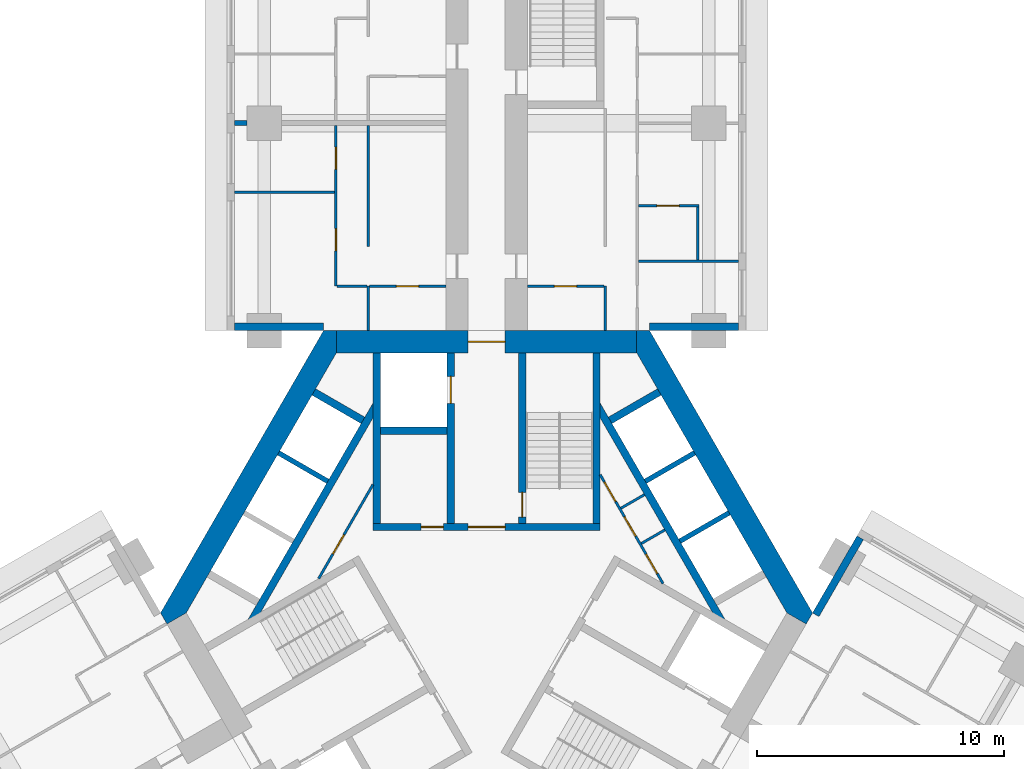
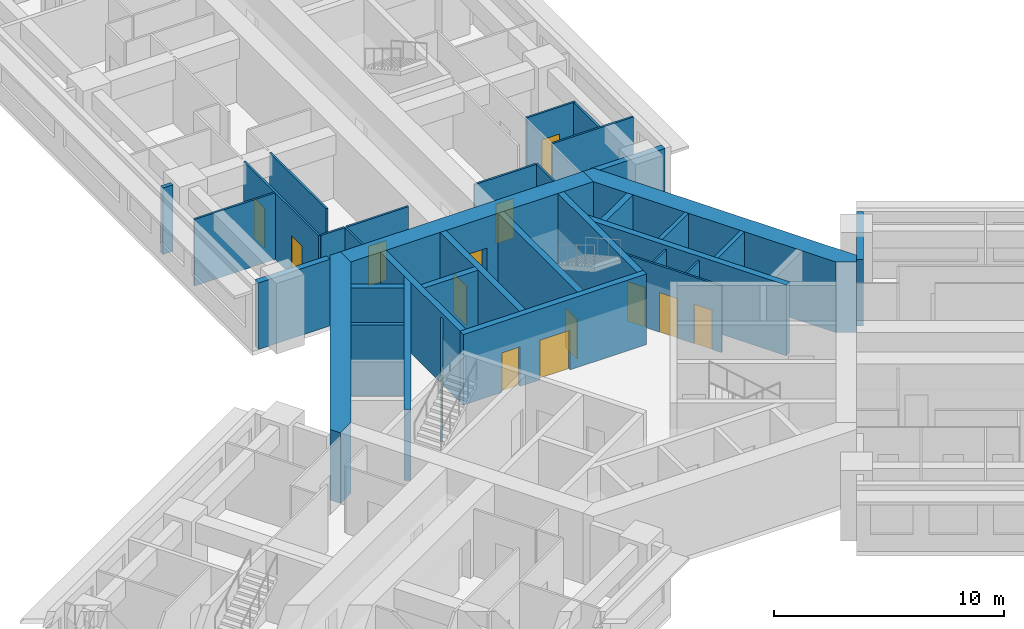
# One storey, part 8 of 16: 35 walls, 14 doors, 14 openings.
"""IFC4 building model written with IfcOpenShell, lengths in metres."""

import ifcopenshell
import ifcopenshell.guid

model = None  # the IFC model being written
_history = None  # IfcOwnerHistory: only IFC2X3 demands one
_inside = {}  # id of a spatial element -> (the spatial element, [elements in it])
_under = {}  # id of a project, library or spatial element -> (it, [spatial elements below it])
_declared = {}  # id of a project -> (the project, [libraries it declares])
_typed = {}  # id of a type object -> (the type object, [elements of that type])
_made_of = {}  # id of a material, layer set ... -> (it, [elements and type objects made of it])


def new_model(schema):
    """Start an empty IFC model of exactly this schema.

    Asked for "IFC4X3", IfcOpenShell would pick the latest addendum, in which some entities
    have other attributes; the version numbers below select the first issue.
    IFC2X3 requires an IfcOwnerHistory on every rooted entity: one is made here for all.
    """
    global model, _history
    if schema == "IFC4X3":
        model = ifcopenshell.file(schema_version=(4, 3, 0, 0))
    else:
        model = ifcopenshell.file(schema=schema)
    _inside.clear()
    _under.clear()
    _declared.clear()
    _typed.clear()
    _made_of.clear()
    _history = None
    if model.schema == "IFC2X3":
        org = make("IfcOrganization", Name="unknown")
        user = make(
            "IfcPersonAndOrganization",
            ThePerson=make("IfcPerson", FamilyName="unknown"),
            TheOrganization=org,
        )
        app = make(
            "IfcApplication",
            ApplicationDeveloper=org,
            Version="unknown",
            ApplicationFullName="unknown",
            ApplicationIdentifier="unknown",
        )
        _history = make(
            "IfcOwnerHistory",
            OwningUser=user,
            OwningApplication=app,
            ChangeAction="ADDED",
            CreationDate=0,
        )
    return model


def make(cls, **values):
    """One entity of the class cls with the attributes given. An attribute that is None is left unset."""
    return model.create_entity(
        cls, **{name: value for name, value in values.items() if value is not None}
    )


def rooted(cls, **values):
    """An entity with a GlobalId (a new one), such as an element, a storey or a relation."""
    return make(cls, GlobalId=ifcopenshell.guid.new(), OwnerHistory=_history, **values)


def si_unit(unit_type, name, prefix=None):
    """IfcSIUnit, for example si_unit("LENGTHUNIT", "METRE", prefix="MILLI")."""
    return make("IfcSIUnit", UnitType=unit_type, Prefix=prefix, Name=name)


def assignment(units):
    """IfcUnitAssignment: the units of a project."""
    return None if units is None else make("IfcUnitAssignment", Units=units)


def point(xyz):
    """IfcCartesianPoint."""
    return None if xyz is None else make("IfcCartesianPoint", Coordinates=xyz)


def direction(xyz):
    """IfcDirection."""
    return None if xyz is None else make("IfcDirection", DirectionRatios=xyz)


def frame(location, z_axis=None, x_axis=None):
    """IfcAxis2Placement3D, a coordinate frame: its origin and axes. An axis left out is left unset."""
    return make(
        "IfcAxis2Placement3D",
        Location=point(location),
        Axis=direction(z_axis),
        RefDirection=direction(x_axis),
    )


def frame_2d(location, x_axis=None):
    """IfcAxis2Placement2D, a coordinate frame in the plane: its origin and x axis."""
    return make(
        "IfcAxis2Placement2D", Location=point(location), RefDirection=direction(x_axis)
    )


def origin():
    """The frame at (0, 0, 0) with its axes left unset."""
    return frame((0.0, 0.0, 0.0))


def place(relative_to, where):
    """IfcLocalPlacement: puts the frame where relative to a parent placement (None: the world)."""
    return make(
        "IfcLocalPlacement", PlacementRelTo=relative_to, RelativePlacement=where
    )


def context(
    kind, dimensions, precision=None, world=None, true_north=None, identifier=None
):
    """IfcGeometricRepresentationContext, for example the 3D "Model" context."""
    return make(
        "IfcGeometricRepresentationContext",
        ContextIdentifier=identifier,
        ContextType=kind,
        CoordinateSpaceDimension=dimensions,
        Precision=precision,
        WorldCoordinateSystem=world,
        TrueNorth=true_north,
    )


def subcontext(parent, identifier, kind, view, scale=None):
    """IfcGeometricRepresentationSubContext, for example "Body" below "Model"."""
    return make(
        "IfcGeometricRepresentationSubContext",
        ContextIdentifier=identifier,
        ContextType=kind,
        ParentContext=parent,
        TargetScale=scale,
        TargetView=view,
    )


def project(units=None, contexts=None):
    """IfcProject with its units and contexts."""
    return rooted(
        "IfcProject",
        Name="project",
        RepresentationContexts=contexts,
        UnitsInContext=assignment(units),
    )


def spatial(cls, under=None, at=None, **own):
    """A site, building, storey or space (cls), placed at a placement, below another one or the project."""
    s = rooted(cls, ObjectPlacement=at, **own)
    if under is not None:
        _under.setdefault(under.id(), (under, []))[1].append(s)
    return s


def polyline(points):
    """IfcPolyline through the points."""
    return make("IfcPolyline", Points=[point(p) for p in points])


def profile(cls, at=None, kind="AREA", **sizes):
    """A parametric profile (cls). Its sizes go by their IFC names, for example OverallWidth=200.0."""
    return make(cls, ProfileType=kind, Position=at, **sizes)


def rectangle(**sizes):
    """IfcRectangleProfileDef."""
    return profile("IfcRectangleProfileDef", **sizes)


def outline(outer, holes=None, kind="AREA"):
    """IfcArbitraryClosedProfileDef: a profile drawn as a closed curve; with holes, ...WithVoids."""
    if holes is None:
        return make("IfcArbitraryClosedProfileDef", ProfileType=kind, OuterCurve=outer)
    return make(
        "IfcArbitraryProfileDefWithVoids",
        ProfileType=kind,
        OuterCurve=outer,
        InnerCurves=holes,
    )


def extrude(swept, where, along, depth):
    """IfcExtrudedAreaSolid: the profile swept, set in the frame where, extruded along a direction by depth."""
    return make(
        "IfcExtrudedAreaSolid",
        SweptArea=swept,
        Position=where,
        ExtrudedDirection=direction(along),
        Depth=depth,
    )


def shape(context_of_items, identifier, shape_type, items):
    """IfcShapeRepresentation: the items that make up one representation, for example the "Body"."""
    return make(
        "IfcShapeRepresentation",
        ContextOfItems=context_of_items,
        RepresentationIdentifier=identifier,
        RepresentationType=shape_type,
        Items=items,
    )


def material(Name=None, Category=None):
    """IfcMaterial."""
    return make("IfcMaterial", Name=Name, Category=Category)


def layer(
    of_material, thickness, ventilated=None, Name=None, Category=None, Priority=None
):
    """IfcMaterialLayer: one layer of a wall or slab, of a material (None: an air gap)."""
    return make(
        "IfcMaterialLayer",
        Material=of_material,
        LayerThickness=thickness,
        IsVentilated=ventilated,
        Name=Name,
        Category=Category,
        Priority=Priority,
    )


def layer_set(layers, Name=None):
    """IfcMaterialLayerSet."""
    return make("IfcMaterialLayerSet", MaterialLayers=layers, LayerSetName=Name)


def made_of(thing, what):
    """Note that an element or type object is made of a material, layer set ...; save() writes the relation."""
    if what is not None:
        _made_of.setdefault(what.id(), (what, []))[1].append(thing)
    return thing


def type_object(cls, material=None, **own):
    """A type object (cls), such as IfcWallType, which elements share."""
    return made_of(rooted(cls, **own), material)


def element(
    cls,
    number,
    at=None,
    inside=None,
    cuts=None,
    type_object=None,
    material=None,
    context=None,
    identifier="Body",
    shape_type=None,
    held_by="IfcProductDefinitionShape",
    body=None,
    shapes=None,
    **own,
):
    """One element of the class cls, such as IfcWall. Its Tag is "e" and its number.

    at: its placement. inside: the storey or other place that contains it. cuts: it is an
    opening in that element (IfcRelVoidsElement). A single representation is given by context,
    identifier, shape_type and body (its items); several are given by shapes. held_by: the class
    of the entity that holds the representations. save() writes the other relations.
    """
    e = rooted(cls, Tag="e%d" % number, ObjectPlacement=at, **own)
    if body is not None:
        shapes = [shape(context, identifier, shape_type, body)]
    if shapes is not None:
        e.Representation = make(held_by, Representations=shapes)
    if inside is not None:
        _inside.setdefault(inside.id(), (inside, []))[1].append(e)
    if cuts is not None:
        rooted(
            "IfcRelVoidsElement", RelatingBuildingElement=cuts, RelatedOpeningElement=e
        )
    if type_object is not None:
        _typed.setdefault(type_object.id(), (type_object, []))[1].append(e)
    return made_of(e, material)


def fill(opening, filler):
    """IfcRelFillsElement: the door or window that sits in an opening."""
    return rooted(
        "IfcRelFillsElement",
        RelatingOpeningElement=opening,
        RelatedBuildingElement=filler,
    )


def aggregate(whole, parts):
    """IfcRelAggregates: a whole, such as a stair, and the parts it consists of."""
    return rooted("IfcRelAggregates", RelatingObject=whole, RelatedObjects=parts)


def save(model, path):
    """Write the relations noted so far, then the file.

    IfcRelAggregates (storeys below a building ...), IfcRelContainedInSpatialStructure (elements
    in a storey), IfcRelDefinesByType, IfcRelAssociatesMaterial and IfcRelDeclares: one each for
    every whole, place, type object, material and project.
    """
    for whole, parts in _under.values():
        aggregate(whole, parts)
    for where, things in _inside.values():
        rooted(
            "IfcRelContainedInSpatialStructure",
            RelatedElements=things,
            RelatingStructure=where,
        )
    for kind, things in _typed.values():
        rooted("IfcRelDefinesByType", RelatedObjects=things, RelatingType=kind)
    for what, things in _made_of.values():
        rooted("IfcRelAssociatesMaterial", RelatedObjects=things, RelatingMaterial=what)
    for by, libraries in _declared.values():
        rooted("IfcRelDeclares", RelatingContext=by, RelatedDefinitions=libraries)
    model.write(path)


model = new_model("IFC4")

# Units and contexts
model_context = context("Model", 3, precision=1e-05, world=origin(), true_north=direction((0.0, 1.0)))
body_context = subcontext(model_context, "Body", "Model", "MODEL_VIEW")
ifc_project = project(units=[si_unit("LENGTHUNIT", "METRE"), si_unit("AREAUNIT", "SQUARE_METRE"), si_unit("VOLUMEUNIT", "CUBIC_METRE"), si_unit("PLANEANGLEUNIT", "RADIAN"), si_unit("MASSUNIT", "GRAM", prefix="KILO")], contexts=[model_context])

# Site, building, storey
site_placement = place(None, origin())
site = spatial("IfcSite", under=ifc_project, at=site_placement, CompositionType="ELEMENT")
building_placement = place(site_placement, origin())
building = spatial("IfcBuilding", under=site, at=building_placement, Name="Impinga Residences", CompositionType="ELEMENT")
storey_placement = place(building_placement, frame((0.0, 0.0, 52.25)))
storey = spatial("IfcBuildingStorey", under=building, at=storey_placement, Name="L12", CompositionType="ELEMENT", Elevation=52.25)

# Wall, openings, doors
ifc_material_1 = material(Name="Concrete blockwork", Category="masonry")
ifc_layer_1 = layer(ifc_material_1, 0.10009765625)
ifc_layer_set_1 = layer_set([ifc_layer_1], Name="CP1 core room partition, blockwork 100")
wall_type_1 = type_object("IfcWallType", Name="CP1 core room partition, blockwork 100", PredefinedType="PARTITIONING", material=ifc_layer_set_1)
wall_1_placement = place(storey_placement, frame((4.60009765625, 5.595703125, 0.0), z_axis=(0.0, 0.0, 1.0), x_axis=(0.499975622669, -0.866039477586, 0.0)))
wall_1 = element("IfcWall", 1, at=wall_1_placement, inside=storey, type_object=wall_type_1, Name="Core room partition, blockwork L12:CORE:mid:FP", PredefinedType="PARTITIONING", context=body_context, shape_type="SweptSolid", body=[
    extrude(rectangle(XDim=5.092041015625, YDim=0.10009765625, at=frame_2d((2.5458984375, 0.0))), origin(), (0.0, 0.0, 1.0), 3.530029296875),
])
opening_1_placement = place(wall_1_placement, frame((0.347900390625, 0.0, 0.0)))
opening_1 = element("IfcOpeningElement", 2, at=opening_1_placement, cuts=wall_1, Name="Opening D6", PredefinedType="OPENING", context=body_context, shape_type="SweptSolid", body=[
    extrude(rectangle(XDim=0.89990234375, YDim=2.10009765625, at=frame_2d((0.449951171875, 1.050048828125))), frame((0.0, 0.06005859375, 0.0), z_axis=(0.0, -1.0, 0.0), x_axis=(1.0, 0.0, 0.0)), (0.0, 0.0, 1.0), 0.1201171875),
])
opening_2_placement = place(wall_1_placement, frame((1.970947265625, 0.0, 0.0)))
opening_2 = element("IfcOpeningElement", 3, at=opening_2_placement, cuts=wall_1, Name="Opening D6", PredefinedType="OPENING", context=body_context, shape_type="SweptSolid", body=[
    extrude(rectangle(XDim=0.89990234375, YDim=2.10009765625, at=frame_2d((0.449951171875, 1.050048828125))), frame((0.0, 0.06005859375, 0.0), z_axis=(0.0, -1.0, 0.0), x_axis=(1.0, 0.0, 0.0)), (0.0, 0.0, 1.0), 0.1201171875),
])
opening_3_placement = place(wall_1_placement, frame((3.718994140625, 0.0, 0.0)))
opening_3 = element("IfcOpeningElement", 4, at=opening_3_placement, cuts=wall_1, Name="Opening D6", PredefinedType="OPENING", context=body_context, shape_type="SweptSolid", body=[
    extrude(rectangle(XDim=0.89990234375, YDim=2.10009765625, at=frame_2d((0.449951171875, 1.050048828125))), frame((0.0, 0.06005859375, 0.0), z_axis=(0.0, -1.0, 0.0), x_axis=(1.0, 0.0, 0.0)), (0.0, 0.0, 1.0), 0.1201171875),
])
ifc_material_2 = material(Name="Timber door set", Category="wood")
door_type_1 = type_object("IfcDoorType", Name="D6 riser and store door 900x2100", OperationType="SINGLE_SWING_LEFT", PredefinedType="DOOR", material=ifc_material_2)
door_1_placement = place(opening_1_placement, origin())
door_1 = element("IfcDoor", 5, at=door_1_placement, inside=storey, type_object=door_type_1, Name="Comms cupboard door", OperationType="SINGLE_SWING_LEFT", OverallHeight=2.10009765625, OverallWidth=0.89990234375, PredefinedType="DOOR", context=body_context, shape_type="SweptSolid", body=[
    extrude(rectangle(XDim=0.89990234375, YDim=2.10009765625, at=frame_2d((0.449951171875, 1.050048828125))), frame((0.0, 0.02490234375, 0.0), z_axis=(0.0, -1.0, 0.0), x_axis=(1.0, 0.0, 0.0)), (0.0, 0.0, 1.0), 0.050048828125),
])
fill(opening_1, door_1)
door_2_placement = place(opening_2_placement, origin())
door_2 = element("IfcDoor", 6, at=door_2_placement, inside=storey, type_object=door_type_1, Name="Refuse room door", OperationType="SINGLE_SWING_LEFT", OverallHeight=2.10009765625, OverallWidth=0.89990234375, PredefinedType="DOOR", context=body_context, shape_type="SweptSolid", body=[
    extrude(rectangle(XDim=0.89990234375, YDim=2.10009765625, at=frame_2d((0.449951171875, 1.050048828125))), frame((0.0, 0.02490234375, 0.0), z_axis=(0.0, -1.0, 0.0), x_axis=(1.0, 0.0, 0.0)), (0.0, 0.0, 1.0), 0.050048828125),
])
fill(opening_2, door_2)
door_3_placement = place(opening_3_placement, origin())
door_3 = element("IfcDoor", 7, at=door_3_placement, inside=storey, type_object=door_type_1, Name="Cleaners' store door", OperationType="SINGLE_SWING_RIGHT", OverallHeight=2.10009765625, OverallWidth=0.89990234375, PredefinedType="DOOR", context=body_context, shape_type="SweptSolid", body=[
    extrude(rectangle(XDim=0.89990234375, YDim=2.10009765625, at=frame_2d((0.449951171875, 1.050048828125))), frame((0.0, 0.02490234375, 0.0), z_axis=(0.0, -1.0, 0.0), x_axis=(1.0, 0.0, 0.0)), (0.0, 0.0, 1.0), 0.050048828125),
])
fill(opening_3, door_3)

# Walls
for number, where, z_axis, x_axis, name in (
    (8, (5.441162109375, 4.238525390625, 0.0), (0.0, 0.0, 1.0), (0.866008176907, 0.50002983664, 0.0), "Core room partition, blockwork L12:CORE:mid:FS1"),
    (9, (6.266357421875, 2.8095703125, 0.0), (0.0, 0.0, 1.0), (0.866008176907, 0.50002983664, 0.0), "Core room partition, blockwork L12:CORE:mid:FS2"),
):
    element("IfcWall", number, at=place(storey_placement, frame(where, z_axis=z_axis, x_axis=x_axis)), inside=storey, type_object=wall_type_1, Name=name, PredefinedType="PARTITIONING", context=body_context, shape_type="SweptSolid", body=[
        extrude(rectangle(XDim=1.10009765625, YDim=0.10009765625, at=frame_2d((0.550048828125, 0.0))), origin(), (0.0, 0.0, 1.0), 3.530029296875),
    ])

# Wall, opening, door
wall_2_placement = place(storey_placement, frame((-6.799560546875, 1.385986328125, 0.0), z_axis=(0.0, 0.0, 1.0), x_axis=(0.500001098885, 0.866024769342, 0.0)))
wall_2 = element("IfcWall", 10, at=wall_2_placement, inside=storey, type_object=wall_type_1, Name="Core room partition, blockwork L12:CORE:high:FP", PredefinedType="PARTITIONING", context=body_context, shape_type="SweptSolid", body=[
    extrude(rectangle(XDim=4.39892578125, YDim=0.10009765625, at=frame_2d((2.199462890625, 0.0))), origin(), (0.0, 0.0, 1.0), 3.530029296875),
])
opening_4_placement = place(wall_2_placement, frame((1.149658203125, 0.0, 0.0)))
opening_4 = element("IfcOpeningElement", 11, at=opening_4_placement, cuts=wall_2, Name="Opening D6", PredefinedType="OPENING", context=body_context, shape_type="SweptSolid", body=[
    extrude(rectangle(XDim=0.89990234375, YDim=2.10009765625, at=frame_2d((0.449951171875, 1.050048828125))), frame((0.0, 0.06005859375, 0.0), z_axis=(0.0, -1.0, 0.0), x_axis=(1.0, 0.0, 0.0)), (0.0, 0.0, 1.0), 0.1201171875),
])
door_4_placement = place(opening_4_placement, origin())
door_4 = element("IfcDoor", 12, at=door_4_placement, inside=storey, type_object=door_type_1, Name="Vending and ice room door", OperationType="SINGLE_SWING_LEFT", OverallHeight=2.10009765625, OverallWidth=0.89990234375, PredefinedType="DOOR", context=body_context, shape_type="SweptSolid", body=[
    extrude(rectangle(XDim=0.89990234375, YDim=2.10009765625, at=frame_2d((0.449951171875, 1.050048828125))), frame((0.0, 0.02490234375, 0.0), z_axis=(0.0, -1.0, 0.0), x_axis=(1.0, 0.0, 0.0)), (0.0, 0.0, 1.0), 0.050048828125),
])
fill(opening_4, door_4)

# Walls
ifc_material_3 = material(Name="Terracotta rainscreen on blockwork", Category="masonry")
ifc_layer_2 = layer(ifc_material_3, 0.300048828125)
ifc_layer_set_2 = layer_set([ifc_layer_2], Name="EW1 external wall, terracotta rainscreen on blockwork 300")
wall_type_2 = type_object("IfcWallType", Name="EW1 external wall, terracotta rainscreen on blockwork 300", PredefinedType="SOLIDWALL", material=ifc_layer_set_2)
for number, where, z_axis, x_axis, name in (
    (13, (-6.60009765625, 11.58154296875, 0.0), (0.0, 0.0, 1.0), (-1.0, 0.0, 0.0), "External wall EW1 L12"),
    (14, (10.199951171875, 11.58154296875, 0.0), (0.0, 0.0, 1.0), (-1.0, 0.0, 0.0), "External wall EW1 L12"),
):
    element("IfcWall", number, at=place(storey_placement, frame(where, z_axis=z_axis, x_axis=x_axis)), inside=storey, type_object=wall_type_2, Name=name, PredefinedType="SOLIDWALL", context=body_context, shape_type="SweptSolid", body=[
        extrude(rectangle(XDim=3.599853515625, YDim=0.300048828125, at=frame_2d((1.7998046875, 0.0))), origin(), (0.0, 0.0, 1.0), 3.530029296875),
    ])
wall_3_placement = place(storey_placement, frame((13.329833984375, -0.074951171875, 0.0), z_axis=(0.0, 0.0, 1.0), x_axis=(0.500012057535, 0.866018442252, 0.0)))
element("IfcWall", 15, at=wall_3_placement, inside=storey, type_object=wall_type_2, Name="External wall EW1 L12", PredefinedType="SOLIDWALL", context=body_context, shape_type="SweptSolid", body=[
    extrude(rectangle(XDim=3.60009765625, YDim=0.300048828125, at=frame_2d((1.800048828125, 0.0))), origin(), (0.0, 0.0, 1.0), 3.530029296875),
])
ifc_material_4 = material(Name="Gypsum board on steel studs", Category="steel")
ifc_layer_3 = layer(ifc_material_4, 0.10009765625)
ifc_layer_set_3 = layer_set([ifc_layer_3], Name="Gypsum board on steel studs")
wall_type_3 = type_object("IfcWallType", Name="IP1 partition 100", PredefinedType="PARTITIONING", material=ifc_layer_set_3)
wall_4_placement = place(storey_placement, frame((-4.800048828125, 11.431640625, 0.0), z_axis=(0.0, 0.0, 1.0), x_axis=(0.0, 1.0, 0.0)))
element("IfcWall", 16, at=wall_4_placement, inside=storey, type_object=wall_type_3, Name="Partition L12-NA1:DIV0", PredefinedType="PARTITIONING", context=body_context, shape_type="SweptSolid", body=[
    extrude(rectangle(XDim=1.7998046875, YDim=0.10009765625, at=frame_2d((0.89990234375, 0.0))), origin(), (0.0, 0.0, 1.0), 3.530029296875),
])
wall_5_placement = place(storey_placement, frame((-4.800048828125, 14.83154296875, 0.0), z_axis=(0.0, 0.0, 1.0), x_axis=(0.0, 1.0, 0.0)))
element("IfcWall", 17, at=wall_5_placement, inside=storey, type_object=wall_type_3, Name="Partition L12-NA1:DIV1", PredefinedType="PARTITIONING", context=body_context, shape_type="SweptSolid", body=[
    extrude(rectangle(XDim=4.89990234375, YDim=0.10009765625, at=frame_2d((2.449951171875, 0.0))), origin(), (0.0, 0.0, 1.0), 3.530029296875),
])

# Wall, openings, doors
wall_6_placement = place(storey_placement, frame((-6.10009765625, 13.2314453125, 0.0), z_axis=(0.0, 0.0, 1.0), x_axis=(0.0, 1.0, 0.0)))
wall_6 = element("IfcWall", 18, at=wall_6_placement, inside=storey, type_object=wall_type_3, Name="Partition L12-NA1:STRIP", PredefinedType="PARTITIONING", context=body_context, shape_type="SweptSolid", body=[
    extrude(rectangle(XDim=6.5, YDim=0.10009765625, at=frame_2d((3.25, 0.0))), origin(), (0.0, 0.0, 1.0), 3.530029296875),
])
opening_5_placement = place(wall_6_placement, frame((1.425048828125, 0.0, 0.0)))
opening_5 = element("IfcOpeningElement", 19, at=opening_5_placement, cuts=wall_6, Name="Opening D2", PredefinedType="OPENING", context=body_context, shape_type="SweptSolid", body=[
    extrude(rectangle(XDim=0.89990234375, YDim=2.10009765625, at=frame_2d((0.449951171875, 1.050048828125))), frame((0.0, 0.06005859375, 0.0), z_axis=(0.0, -1.0, 0.0), x_axis=(1.0, 0.0, 0.0)), (0.0, 0.0, 1.0), 0.1201171875),
])
opening_6_placement = place(wall_6_placement, frame((4.72509765625, 0.0, 0.0)))
opening_6 = element("IfcOpeningElement", 20, at=opening_6_placement, cuts=wall_6, Name="Opening D2", PredefinedType="OPENING", context=body_context, shape_type="SweptSolid", body=[
    extrude(rectangle(XDim=0.89990234375, YDim=2.10009765625, at=frame_2d((0.449951171875, 1.050048828125))), frame((0.0, 0.06005859375, 0.0), z_axis=(0.0, -1.0, 0.0), x_axis=(1.0, 0.0, 0.0)), (0.0, 0.0, 1.0), 0.1201171875),
])
door_type_2 = type_object("IfcDoorType", Name="D2 internal door 900x2100", OperationType="SINGLE_SWING_LEFT", PredefinedType="DOOR", material=ifc_material_2)
door_5_placement = place(opening_5_placement, origin())
door_5 = element("IfcDoor", 21, at=door_5_placement, inside=storey, type_object=door_type_2, Name="Apartment L12-NA1 room door", OperationType="SINGLE_SWING_LEFT", OverallHeight=2.10009765625, OverallWidth=0.89990234375, PredefinedType="DOOR", context=body_context, shape_type="SweptSolid", body=[
    extrude(rectangle(XDim=0.89990234375, YDim=2.10009765625, at=frame_2d((0.449951171875, 1.050048828125))), frame((0.0, 0.02490234375, 0.0), z_axis=(0.0, -1.0, 0.0), x_axis=(1.0, 0.0, 0.0)), (0.0, 0.0, 1.0), 0.050048828125),
])
fill(opening_5, door_5)
door_6_placement = place(opening_6_placement, origin())
door_6 = element("IfcDoor", 22, at=door_6_placement, inside=storey, type_object=door_type_2, Name="Apartment L12-NA1 room door", OperationType="SINGLE_SWING_RIGHT", OverallHeight=2.10009765625, OverallWidth=0.89990234375, PredefinedType="DOOR", context=body_context, shape_type="SweptSolid", body=[
    extrude(rectangle(XDim=0.89990234375, YDim=2.10009765625, at=frame_2d((0.449951171875, 1.050048828125))), frame((0.0, 0.02490234375, 0.0), z_axis=(0.0, -1.0, 0.0), x_axis=(1.0, 0.0, 0.0)), (0.0, 0.0, 1.0), 0.050048828125),
])
fill(opening_6, door_6)

# Wall
wall_7_placement = place(storey_placement, frame((-4.85009765625, 13.2314453125, 0.0), z_axis=(0.0, 0.0, 1.0), x_axis=(-1.0, 0.0, 0.0)))
element("IfcWall", 23, at=wall_7_placement, inside=storey, type_object=wall_type_3, Name="Partition L12-NA1:SE0", PredefinedType="PARTITIONING", context=body_context, shape_type="SweptSolid", body=[
    extrude(rectangle(XDim=1.199951171875, YDim=0.10009765625, at=frame_2d((0.60009765625, 0.0))), origin(), (0.0, 0.0, 1.0), 3.530029296875),
])

# Wall, opening, door
wall_8_placement = place(storey_placement, frame((-1.64990234375, 13.2314453125, 0.0), z_axis=(0.0, 0.0, 1.0), x_axis=(-1.0, 0.0, 0.0)))
wall_8 = element("IfcWall", 24, at=wall_8_placement, inside=storey, type_object=wall_type_3, Name="Partition L12-NA1:IB1", PredefinedType="PARTITIONING", context=body_context, shape_type="SweptSolid", body=[
    extrude(rectangle(XDim=3.10009765625, YDim=0.10009765625, at=frame_2d((1.550048828125, 0.0))), origin(), (0.0, 0.0, 1.0), 3.530029296875),
])
opening_7_placement = place(wall_8_placement, frame((1.10009765625, 0.0, 0.0)))
opening_7 = element("IfcOpeningElement", 25, at=opening_7_placement, cuts=wall_8, Name="Opening D2", PredefinedType="OPENING", context=body_context, shape_type="SweptSolid", body=[
    extrude(rectangle(XDim=0.89990234375, YDim=2.10009765625, at=frame_2d((0.449951171875, 1.050048828125))), frame((0.0, 0.06005859375, 0.0), z_axis=(0.0, -1.0, 0.0), x_axis=(1.0, 0.0, 0.0)), (0.0, 0.0, 1.0), 0.1201171875),
])
door_7_placement = place(opening_7_placement, origin())
door_7 = element("IfcDoor", 26, at=door_7_placement, inside=storey, type_object=door_type_2, Name="Apartment L12-NA1 bathroom door", OperationType="SINGLE_SWING_LEFT", OverallHeight=2.10009765625, OverallWidth=0.89990234375, PredefinedType="DOOR", context=body_context, shape_type="SweptSolid", body=[
    extrude(rectangle(XDim=0.89990234375, YDim=2.10009765625, at=frame_2d((0.449951171875, 1.050048828125))), frame((0.0, 0.02490234375, 0.0), z_axis=(0.0, -1.0, 0.0), x_axis=(1.0, 0.0, 0.0)), (0.0, 0.0, 1.0), 0.050048828125),
])
fill(opening_7, door_7)

# Walls
wall_9_placement = place(storey_placement, frame((-6.14990234375, 17.031494140625, 0.0), z_axis=(0.0, 0.0, 1.0), x_axis=(-1.0, 0.0, 0.0)))
element("IfcWall", 27, at=wall_9_placement, inside=storey, type_object=wall_type_3, Name="Partition L12-NA1:OB1", PredefinedType="PARTITIONING", context=body_context, shape_type="SweptSolid", body=[
    extrude(rectangle(XDim=4.050048828125, YDim=0.10009765625, at=frame_2d((2.02490234375, 0.0))), origin(), (0.0, 0.0, 1.0), 3.530029296875),
])
wall_10_placement = place(storey_placement, frame((4.800048828125, 11.431640625, 0.0), z_axis=(0.0, 0.0, 1.0), x_axis=(0.0, 1.0, 0.0)))
element("IfcWall", 28, at=wall_10_placement, inside=storey, type_object=wall_type_3, Name="Partition L12-NF1:DIV0", PredefinedType="PARTITIONING", context=body_context, shape_type="SweptSolid", body=[
    extrude(rectangle(XDim=1.7998046875, YDim=0.10009765625, at=frame_2d((0.89990234375, 0.0))), origin(), (0.0, 0.0, 1.0), 3.530029296875),
])

# Wall, opening, door
wall_11_placement = place(storey_placement, frame((1.64990234375, 13.2314453125, 0.0), z_axis=(0.0, 0.0, 1.0), x_axis=(1.0, 0.0, 0.0)))
wall_11 = element("IfcWall", 29, at=wall_11_placement, inside=storey, type_object=wall_type_3, Name="Partition L12-NF1:IB1", PredefinedType="PARTITIONING", context=body_context, shape_type="SweptSolid", body=[
    extrude(rectangle(XDim=3.10009765625, YDim=0.10009765625, at=frame_2d((1.550048828125, 0.0))), origin(), (0.0, 0.0, 1.0), 3.530029296875),
])
opening_8_placement = place(wall_11_placement, frame((1.10009765625, 0.0, 0.0)))
opening_8 = element("IfcOpeningElement", 30, at=opening_8_placement, cuts=wall_11, Name="Opening D2", PredefinedType="OPENING", context=body_context, shape_type="SweptSolid", body=[
    extrude(rectangle(XDim=0.89990234375, YDim=2.10009765625, at=frame_2d((0.449951171875, 1.050048828125))), frame((0.0, 0.06005859375, 0.0), z_axis=(0.0, -1.0, 0.0), x_axis=(1.0, 0.0, 0.0)), (0.0, 0.0, 1.0), 0.1201171875),
])
door_8_placement = place(opening_8_placement, origin())
door_8 = element("IfcDoor", 31, at=door_8_placement, inside=storey, type_object=door_type_2, Name="Apartment L12-NF1 bathroom door", OperationType="SINGLE_SWING_LEFT", OverallHeight=2.10009765625, OverallWidth=0.89990234375, PredefinedType="DOOR", context=body_context, shape_type="SweptSolid", body=[
    extrude(rectangle(XDim=0.89990234375, YDim=2.10009765625, at=frame_2d((0.449951171875, 1.050048828125))), frame((0.0, 0.02490234375, 0.0), z_axis=(0.0, -1.0, 0.0), x_axis=(1.0, 0.0, 0.0)), (0.0, 0.0, 1.0), 0.050048828125),
])
fill(opening_8, door_8)

# Wall
wall_12_placement = place(storey_placement, frame((6.14990234375, 14.2314453125, 0.0), z_axis=(0.0, 0.0, 1.0), x_axis=(1.0, 0.0, 0.0)))
element("IfcWall", 32, at=wall_12_placement, inside=storey, type_object=wall_type_3, Name="Partition L12-NF1:OB1", PredefinedType="PARTITIONING", context=body_context, shape_type="SweptSolid", body=[
    extrude(rectangle(XDim=4.050048828125, YDim=0.10009765625, at=frame_2d((2.02490234375, 0.0))), origin(), (0.0, 0.0, 1.0), 3.530029296875),
])

# Wall, opening, door
wall_13_placement = place(storey_placement, frame((6.14990234375, 16.4814453125, 0.0), z_axis=(0.0, 0.0, 1.0), x_axis=(1.0, 0.0, 0.0)))
wall_13 = element("IfcWall", 33, at=wall_13_placement, inside=storey, type_object=wall_type_3, Name="Partition L12-NF1:EN1", PredefinedType="PARTITIONING", context=body_context, shape_type="SweptSolid", body=[
    extrude(rectangle(XDim=2.4501953125, YDim=0.10009765625, at=frame_2d((1.22509765625, 0.0))), origin(), (0.0, 0.0, 1.0), 3.530029296875),
])
opening_9_placement = place(wall_13_placement, frame((0.75, 0.0, 0.0)))
opening_9 = element("IfcOpeningElement", 34, at=opening_9_placement, cuts=wall_13, Name="Opening D2", PredefinedType="OPENING", context=body_context, shape_type="SweptSolid", body=[
    extrude(rectangle(XDim=0.89990234375, YDim=2.10009765625, at=frame_2d((0.449951171875, 1.050048828125))), frame((0.0, 0.06005859375, 0.0), z_axis=(0.0, -1.0, 0.0), x_axis=(1.0, 0.0, 0.0)), (0.0, 0.0, 1.0), 0.1201171875),
])
door_9_placement = place(opening_9_placement, origin())
door_9 = element("IfcDoor", 35, at=door_9_placement, inside=storey, type_object=door_type_2, Name="Apartment L12-NF1 en-suite door", OperationType="SINGLE_SWING_LEFT", OverallHeight=2.10009765625, OverallWidth=0.89990234375, PredefinedType="DOOR", context=body_context, shape_type="SweptSolid", body=[
    extrude(rectangle(XDim=0.89990234375, YDim=2.10009765625, at=frame_2d((0.449951171875, 1.050048828125))), frame((0.0, 0.02490234375, 0.0), z_axis=(0.0, -1.0, 0.0), x_axis=(1.0, 0.0, 0.0)), (0.0, 0.0, 1.0), 0.050048828125),
])
fill(opening_9, door_9)

# Walls
wall_14_placement = place(storey_placement, frame((8.550048828125, 14.281494140625, 0.0), z_axis=(0.0, 0.0, 1.0), x_axis=(0.0, 1.0, 0.0)))
element("IfcWall", 36, at=wall_14_placement, inside=storey, type_object=wall_type_3, Name="Partition L12-NF1:EN2", PredefinedType="PARTITIONING", context=body_context, shape_type="SweptSolid", body=[
    extrude(rectangle(XDim=2.150146484375, YDim=0.10009765625, at=frame_2d((1.0751953125, 0.0))), origin(), (0.0, 0.0, 1.0), 3.530029296875),
])
ifc_layer_4 = layer(ifc_material_1, 0.199951171875)
ifc_layer_set_4 = layer_set([ifc_layer_4], Name="PW1 party wall between apartments 200")
wall_type_4 = type_object("IfcWallType", Name="PW1 party wall between apartments 200", PredefinedType="SOLIDWALL", material=ifc_layer_set_4)
wall_15_placement = place(storey_placement, frame((-9.699951171875, 19.83154296875, 0.0), z_axis=(0.0, 0.0, 1.0), x_axis=(-1.0, 0.0, 0.0)))
element("IfcWall", 37, at=wall_15_placement, inside=storey, type_object=wall_type_4, Name="Party wall between apartments L12-NA1:PARTYb", PredefinedType="SOLIDWALL", context=body_context, shape_type="SweptSolid", body=[
    extrude(rectangle(XDim=0.5, YDim=0.199951171875, at=frame_2d((0.25, 0.0))), origin(), (0.0, 0.0, 1.0), 3.530029296875),
])

# Wall, opening, door
ifc_material_5 = material(Name="Concrete C70/85", Category="concrete")
ifc_layer_5 = layer(ifc_material_5, 0.89990234375)
ifc_layer_set_5 = layer_set([ifc_layer_5], Name="Concrete C70/85")
wall_type_5 = type_object("IfcWallType", Name="SW1 core wall 900", PredefinedType="SHEAR", material=ifc_layer_set_5)
wall_16_placement = place(storey_placement, frame((-6.080322265625, 10.9814453125, 0.0), z_axis=(0.0, 0.0, 1.0), x_axis=(1.0, 0.0, 0.0)))
wall_16 = element("IfcWall", 38, at=wall_16_placement, inside=storey, type_object=wall_type_5, Name="Core wall SW1 N:FACE L12", PredefinedType="SHEAR", context=body_context, shape_type="SweptSolid", body=[
    extrude(rectangle(XDim=12.16064453125, YDim=0.89990234375, at=frame_2d((6.080322265625, 0.0))), origin(), (0.0, 0.0, 1.0), 3.75),
])
opening_10_placement = place(wall_16_placement, frame((5.330322265625, 0.0, 0.0)))
opening_10 = element("IfcOpeningElement", 39, at=opening_10_placement, cuts=wall_16, Name="Opening D4", PredefinedType="OPENING", context=body_context, shape_type="SweptSolid", body=[
    extrude(rectangle(XDim=1.5, YDim=2.10009765625, at=frame_2d((0.75, 1.050048828125))), frame((0.0, 0.4599609375, 0.0), z_axis=(0.0, -1.0, 0.0), x_axis=(1.0, 0.0, 0.0)), (0.0, 0.0, 1.0), 0.919921875),
])
door_type_3 = type_object("IfcDoorType", Name="D4 lobby door pair 1500x2100", OperationType="DOUBLE_DOOR_DOUBLE_SWING", PredefinedType="DOOR", material=ifc_material_2)
door_10_placement = place(opening_10_placement, origin())
door_10 = element("IfcDoor", 40, at=door_10_placement, inside=storey, type_object=door_type_3, Name="Lobby door N", OperationType="DOUBLE_DOOR_DOUBLE_SWING", OverallHeight=2.10009765625, OverallWidth=1.5, PredefinedType="DOOR", context=body_context, shape_type="SweptSolid", body=[
    extrude(rectangle(XDim=1.5, YDim=2.10009765625, at=frame_2d((0.75, 1.050048828125))), frame((0.0, 0.02490234375, 0.0), z_axis=(0.0, -1.0, 0.0), x_axis=(1.0, 0.0, 0.0)), (0.0, 0.0, 1.0), 0.050048828125),
])
fill(opening_10, door_10)

# Walls
wall_17_placement = place(storey_placement, origin())
element("IfcWall", 41, at=wall_17_placement, inside=storey, type_object=wall_type_5, Name="Core wall SW1 W:EXPOSED L12", PredefinedType="SHEAR", context=body_context, shape_type="SweptSolid", body=[
    extrude(outline(polyline([(13.199951171875, 0.0), (6.60009765625, 11.431640625), (6.080322265625, 11.431640625), (6.080322265625, 10.531494140625), (12.160888671875, 0.0), (12.940185546875, -0.449951171875), (13.199951171875, 0.0)])), origin(), (0.0, 0.0, 1.0), 3.75),
])
wall_18_placement = place(storey_placement, origin())
element("IfcWall", 42, at=wall_18_placement, inside=storey, type_object=wall_type_5, Name="Core wall SW1 E:EXPOSED L12", PredefinedType="SHEAR", context=body_context, shape_type="SweptSolid", body=[
    extrude(outline(polyline([(-6.60009765625, 11.431640625), (-13.199951171875, 0.0), (-12.940185546875, -0.449951171875), (-12.160888671875, 0.0), (-6.080322265625, 10.531494140625), (-6.080322265625, 11.431640625), (-6.60009765625, 11.431640625)])), origin(), (0.0, 0.0, 1.0), 3.75),
])

# Wall, openings, doors
ifc_layer_6 = layer(ifc_material_5, 0.300048828125)
ifc_layer_set_6 = layer_set([ifc_layer_6], Name="Concrete C70/85")
wall_type_6 = type_object("IfcWallType", Name="SW5 core inner wall, stairs, shafts and lobbies 300", PredefinedType="SHEAR", material=ifc_layer_set_6)
wall_19_placement = place(storey_placement, frame((-4.60009765625, 3.47998046875, 0.0), z_axis=(0.0, 0.0, 1.0), x_axis=(1.0, 0.0, 0.0)))
wall_19 = element("IfcWall", 43, at=wall_19_placement, inside=storey, type_object=wall_type_6, Name="Core wall SW5 N:ZONE L12", PredefinedType="SHEAR", context=body_context, shape_type="SweptSolid", body=[
    extrude(rectangle(XDim=9.2001953125, YDim=0.300048828125, at=frame_2d((4.60009765625, 0.0))), origin(), (0.0, 0.0, 1.0), 3.75),
])
opening_11_placement = place(wall_19_placement, frame((3.85009765625, 0.0, 0.0)))
opening_11 = element("IfcOpeningElement", 44, at=opening_11_placement, cuts=wall_19, Name="Opening D4", PredefinedType="OPENING", context=body_context, shape_type="SweptSolid", body=[
    extrude(rectangle(XDim=1.5, YDim=2.10009765625, at=frame_2d((0.75, 1.050048828125))), frame((0.0, 0.159912109375, 0.0), z_axis=(0.0, -1.0, 0.0), x_axis=(1.0, 0.0, 0.0)), (0.0, 0.0, 1.0), 0.320068359375),
])
opening_12_placement = place(wall_19_placement, frame((1.949951171875, 0.0, 0.0)))
opening_12 = element("IfcOpeningElement", 45, at=opening_12_placement, cuts=wall_19, Name="Opening D6", PredefinedType="OPENING", context=body_context, shape_type="SweptSolid", body=[
    extrude(rectangle(XDim=0.89990234375, YDim=2.10009765625, at=frame_2d((0.449951171875, 1.050048828125))), frame((0.0, 0.159912109375, 0.0), z_axis=(0.0, -1.0, 0.0), x_axis=(1.0, 0.0, 0.0)), (0.0, 0.0, 1.0), 0.320068359375),
])
door_11_placement = place(opening_11_placement, origin())
door_11 = element("IfcDoor", 46, at=door_11_placement, inside=storey, type_object=door_type_3, Name="Firefighting lobby door N", OperationType="DOUBLE_DOOR_DOUBLE_SWING", OverallHeight=2.10009765625, OverallWidth=1.5, PredefinedType="DOOR", context=body_context, shape_type="SweptSolid", body=[
    extrude(rectangle(XDim=1.5, YDim=2.10009765625, at=frame_2d((0.75, 1.050048828125))), frame((0.0, 0.02490234375, 0.0), z_axis=(0.0, -1.0, 0.0), x_axis=(1.0, 0.0, 0.0)), (0.0, 0.0, 1.0), 0.050048828125),
])
fill(opening_11, door_11)
door_12_placement = place(opening_12_placement, origin())
door_12 = element("IfcDoor", 47, at=door_12_placement, inside=storey, type_object=door_type_1, Name="Riser door N", OperationType="SINGLE_SWING_LEFT", OverallHeight=2.10009765625, OverallWidth=0.89990234375, PredefinedType="DOOR", context=body_context, shape_type="SweptSolid", body=[
    extrude(rectangle(XDim=0.89990234375, YDim=2.10009765625, at=frame_2d((0.449951171875, 1.050048828125))), frame((0.0, 0.02490234375, 0.0), z_axis=(0.0, -1.0, 0.0), x_axis=(1.0, 0.0, 0.0)), (0.0, 0.0, 1.0), 0.050048828125),
])
fill(opening_12, door_12)

# Wall, opening, door
wall_20_placement = place(storey_placement, frame((1.449951171875, 3.6298828125, 0.0), z_axis=(0.0, 0.0, 1.0), x_axis=(0.0, 1.0, 0.0)))
wall_20 = element("IfcWall", 48, at=wall_20_placement, inside=storey, type_object=wall_type_6, Name="Core wall SW5 N:ST-IN L12", PredefinedType="SHEAR", context=body_context, shape_type="SweptSolid", body=[
    extrude(rectangle(XDim=6.901611328125, YDim=0.300048828125, at=frame_2d((3.45068359375, 0.0))), origin(), (0.0, 0.0, 1.0), 3.75),
])
opening_13_placement = place(wall_20_placement, frame((0.25, 0.0, 0.0)))
opening_13 = element("IfcOpeningElement", 49, at=opening_13_placement, cuts=wall_20, Name="Opening D5", PredefinedType="OPENING", context=body_context, shape_type="SweptSolid", body=[
    extrude(rectangle(XDim=1.0, YDim=2.10009765625, at=frame_2d((0.5, 1.050048828125))), frame((0.0, 0.159912109375, 0.0), z_axis=(0.0, -1.0, 0.0), x_axis=(1.0, 0.0, 0.0)), (0.0, 0.0, 1.0), 0.320068359375),
])
door_type_4 = type_object("IfcDoorType", Name="D5 stair door 1000x2100", OperationType="SINGLE_SWING_LEFT", PredefinedType="DOOR", material=ifc_material_2)
door_13_placement = place(opening_13_placement, origin())
door_13 = element("IfcDoor", 50, at=door_13_placement, inside=storey, type_object=door_type_4, Name="Stair door N", OperationType="SINGLE_SWING_LEFT", OverallHeight=2.10009765625, OverallWidth=1.0, PredefinedType="DOOR", context=body_context, shape_type="SweptSolid", body=[
    extrude(rectangle(XDim=1.0, YDim=2.10009765625, at=frame_2d((0.5, 1.050048828125))), frame((0.0, 0.02490234375, 0.0), z_axis=(0.0, -1.0, 0.0), x_axis=(1.0, 0.0, 0.0)), (0.0, 0.0, 1.0), 0.050048828125),
])
fill(opening_13, door_13)

# Wall
wall_21_placement = place(storey_placement, frame((4.449951171875, 3.6298828125, 0.0), z_axis=(0.0, 0.0, 1.0), x_axis=(0.0, 1.0, 0.0)))
element("IfcWall", 51, at=wall_21_placement, inside=storey, type_object=wall_type_6, Name="Core wall SW5 N:ST-OUT L12", PredefinedType="SHEAR", context=body_context, shape_type="SweptSolid", body=[
    extrude(rectangle(XDim=6.901611328125, YDim=0.300048828125, at=frame_2d((3.45068359375, 0.0))), origin(), (0.0, 0.0, 1.0), 3.75),
])

# Wall, opening, door
wall_22_placement = place(storey_placement, frame((-1.449951171875, 3.6298828125, 0.0), z_axis=(0.0, 0.0, 1.0), x_axis=(0.0, 1.0, 0.0)))
wall_22 = element("IfcWall", 52, at=wall_22_placement, inside=storey, type_object=wall_type_6, Name="Core wall SW5 N:FF-IN L12", PredefinedType="SHEAR", context=body_context, shape_type="SweptSolid", body=[
    extrude(rectangle(XDim=6.901611328125, YDim=0.300048828125, at=frame_2d((3.45068359375, 0.0))), origin(), (0.0, 0.0, 1.0), 3.75),
])
opening_14_placement = place(wall_22_placement, frame((4.85009765625, 0.0, 0.0)))
opening_14 = element("IfcOpeningElement", 53, at=opening_14_placement, cuts=wall_22, Name="Opening LD2", PredefinedType="OPENING", context=body_context, shape_type="SweptSolid", body=[
    extrude(rectangle(XDim=1.10009765625, YDim=2.10009765625, at=frame_2d((0.550048828125, 1.050048828125))), frame((0.0, 0.159912109375, 0.0), z_axis=(0.0, -1.0, 0.0), x_axis=(1.0, 0.0, 0.0)), (0.0, 0.0, 1.0), 0.320068359375),
])
ifc_material_6 = material(Name="Steel lift landing door", Category="steel")
door_type_5 = type_object("IfcDoorType", Name="LD2 firefighting lift landing door 1100x2100", OperationType="DOUBLE_DOOR_SLIDING", PredefinedType="DOOR", material=ifc_material_6)
door_14_placement = place(opening_14_placement, origin())
door_14 = element("IfcDoor", 54, at=door_14_placement, inside=storey, type_object=door_type_5, Name="Firefighting lift landing door F1", OperationType="DOUBLE_DOOR_SLIDING", OverallHeight=2.10009765625, OverallWidth=1.10009765625, PredefinedType="DOOR", context=body_context, shape_type="SweptSolid", body=[
    extrude(rectangle(XDim=1.10009765625, YDim=2.10009765625, at=frame_2d((0.550048828125, 1.050048828125))), frame((0.0, 0.02490234375, 0.0), z_axis=(0.0, -1.0, 0.0), x_axis=(1.0, 0.0, 0.0)), (0.0, 0.0, 1.0), 0.050048828125),
])
fill(opening_14, door_14)

# Walls
wall_23_placement = place(storey_placement, frame((-4.449951171875, 3.6298828125, 0.0), z_axis=(0.0, 0.0, 1.0), x_axis=(0.0, 1.0, 0.0)))
element("IfcWall", 55, at=wall_23_placement, inside=storey, type_object=wall_type_6, Name="Core wall SW5 N:FF-OUT L12", PredefinedType="SHEAR", context=body_context, shape_type="SweptSolid", body=[
    extrude(rectangle(XDim=6.901611328125, YDim=0.300048828125, at=frame_2d((3.45068359375, 0.0))), origin(), (0.0, 0.0, 1.0), 3.75),
])
wall_24_placement = place(storey_placement, frame((-4.300048828125, 7.3798828125, 0.0), z_axis=(0.0, 0.0, 1.0), x_axis=(1.0, 0.0, 0.0)))
element("IfcWall", 56, at=wall_24_placement, inside=storey, type_object=wall_type_6, Name="Core wall SW5 N:FF-RS L12", PredefinedType="SHEAR", context=body_context, shape_type="SweptSolid", body=[
    extrude(rectangle(XDim=2.699951171875, YDim=0.300048828125, at=frame_2d((1.35009765625, 0.0))), origin(), (0.0, 0.0, 1.0), 3.75),
])
wall_25_placement = place(storey_placement, frame((4.449951171875, 8.455322265625, 0.0), z_axis=(0.0, 0.0, 1.0), x_axis=(0.500002290144, -0.866024081565, 0.0)))
element("IfcWall", 57, at=wall_25_placement, inside=storey, type_object=wall_type_6, Name="Core wall SW5 W:BANK-FRONT L12", PredefinedType="SHEAR", context=body_context, shape_type="SweptSolid", body=[
    extrude(rectangle(XDim=10.1953125, YDim=0.300048828125, at=frame_2d((5.09765625, 0.0))), origin(), (0.0, 0.0, 1.0), 3.75),
])
wall_26_placement = place(storey_placement, frame((5.003662109375, 7.79638671875, 0.0), z_axis=(0.0, 0.0, 1.0), x_axis=(0.866053019151, 0.499952165731, 0.0)))
element("IfcWall", 58, at=wall_26_placement, inside=storey, type_object=wall_type_6, Name="Core wall SW5 W:BANK-L L12", PredefinedType="SHEAR", context=body_context, shape_type="SweptSolid", body=[
    extrude(rectangle(XDim=2.300048828125, YDim=0.300048828125, at=frame_2d((1.14990234375, 0.0))), origin(), (0.0, 0.0, 1.0), 3.75),
])
wall_27_placement = place(storey_placement, frame((-9.547607421875, -0.3740234375, 0.0), z_axis=(0.0, 0.0, 1.0), x_axis=(0.500002290144, 0.866024081565, 0.0)))
element("IfcWall", 59, at=wall_27_placement, inside=storey, type_object=wall_type_6, Name="Core wall SW5 E:BANK-FRONT L12", PredefinedType="SHEAR", context=body_context, shape_type="SweptSolid", body=[
    extrude(rectangle(XDim=10.1953125, YDim=0.300048828125, at=frame_2d((5.09765625, 0.0))), origin(), (0.0, 0.0, 1.0), 3.75),
])
wall_28_placement = place(storey_placement, frame((-5.003662109375, 7.79638671875, 0.0), z_axis=(0.0, 0.0, 1.0), x_axis=(-0.866053019151, 0.499952165731, 0.0)))
element("IfcWall", 60, at=wall_28_placement, inside=storey, type_object=wall_type_6, Name="Core wall SW5 E:BANK-R L12", PredefinedType="SHEAR", context=body_context, shape_type="SweptSolid", body=[
    extrude(rectangle(XDim=2.300048828125, YDim=0.300048828125, at=frame_2d((1.14990234375, 0.0))), origin(), (0.0, 0.0, 1.0), 3.75),
])
ifc_layer_7 = layer(ifc_material_5, 0.199951171875)
ifc_layer_set_7 = layer_set([ifc_layer_7], Name="Concrete C70/85")
wall_type_7 = type_object("IfcWallType", Name="SW6 lift shaft divider wall 200", PredefinedType="SHEAR", material=ifc_layer_set_7)
for number, where, z_axis, x_axis, name in (
    (61, (6.4287109375, 5.328125, 0.0), (0.0, 0.0, 1.0), (0.866007057882, 0.500031774688, 0.0), "Core wall SW6 W:BANK-D1 L12"),
    (62, (7.82861328125, 2.9033203125, 0.0), (0.0, 0.0, 1.0), (0.866053019151, 0.499952165731, 0.0), "Core wall SW6 W:BANK-D2 L12"),
    (63, (-6.4287109375, 5.328125, 0.0), (0.0, 0.0, 1.0), (-0.866007057882, 0.500031774688, 0.0), "Core wall SW6 E:BANK-D2 L12"),
):
    element("IfcWall", number, at=place(storey_placement, frame(where, z_axis=z_axis, x_axis=x_axis)), inside=storey, type_object=wall_type_7, Name=name, PredefinedType="SHEAR", context=body_context, shape_type="SweptSolid", body=[
        extrude(rectangle(XDim=2.300048828125, YDim=0.199951171875, at=frame_2d((1.14990234375, 0.0))), origin(), (0.0, 0.0, 1.0), 3.75),
    ])

save(model, "model.ifc")
